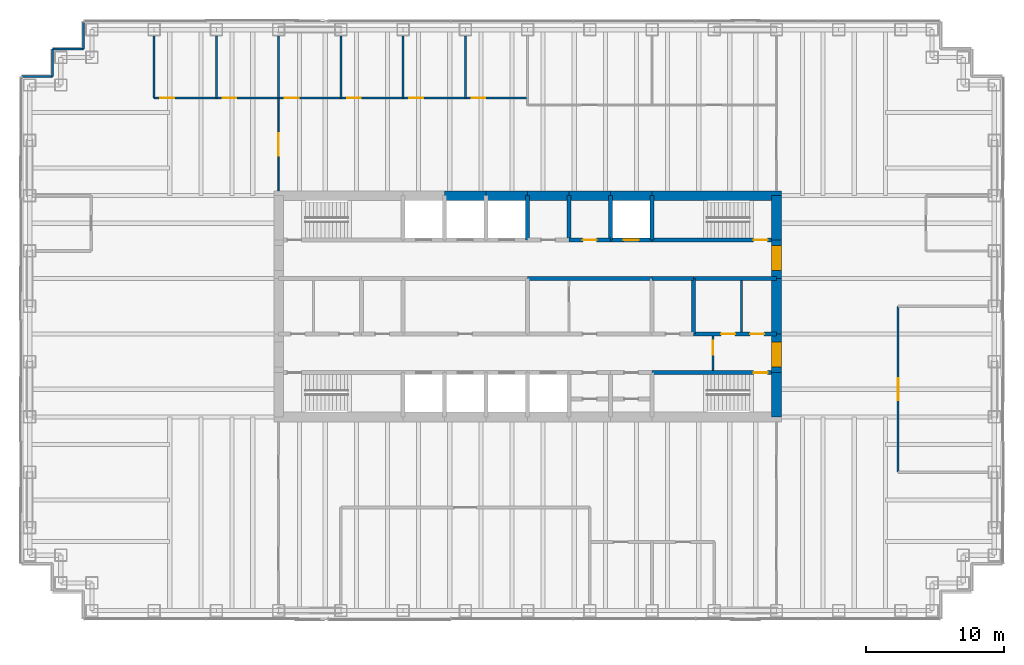
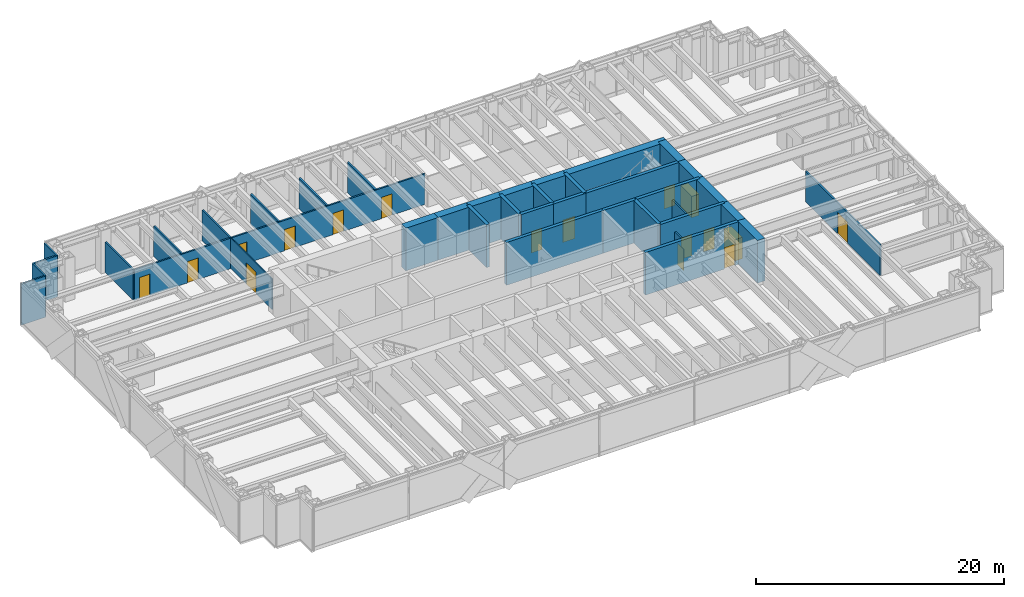
# One storey, part 15 of 17: 39 walls, 17 doors, 17 openings.
"""IFC4 building model written with IfcOpenShell, lengths in metres."""

from ifc_helpers import new_model, si_unit, direction, frame, frame_2d, origin, place, context, subcontext, project, spatial, rectangle, extrude, material, layer, layer_set, type_object, element, fill, save


model = new_model("IFC4")

# Units and contexts
model_context = context("Model", 3, precision=1e-05, world=origin(), true_north=direction((0.0, 1.0)))
body_context = subcontext(model_context, "Body", "Model", "MODEL_VIEW")
ifc_project = project(units=[si_unit("LENGTHUNIT", "METRE"), si_unit("AREAUNIT", "SQUARE_METRE"), si_unit("VOLUMEUNIT", "CUBIC_METRE"), si_unit("PLANEANGLEUNIT", "RADIAN"), si_unit("MASSUNIT", "GRAM", prefix="KILO")], contexts=[model_context])

# Site, building, storey
site_placement = place(None, origin())
site = spatial("IfcSite", under=ifc_project, at=site_placement, CompositionType="ELEMENT")
building_placement = place(site_placement, origin())
building = spatial("IfcBuilding", under=site, at=building_placement, Name="Rheinbord Bourse Tower", CompositionType="ELEMENT")
storey_placement = place(building_placement, frame((0.0, 0.0, 317.300048828125)))
storey = spatial("IfcBuildingStorey", under=building, at=storey_placement, Name="L72", CompositionType="ELEMENT", Elevation=317.300048828125)

# Wall, opening, door
ifc_material_1 = material(Name="Concrete C50/60", Category="concrete")
ifc_layer_1 = layer(ifc_material_1, 0.300048828125)
ifc_layer_set_1 = layer_set([ifc_layer_1], Name="CORE INNER WALL 300")
wall_type_1 = type_object("IfcWallType", Name="CORE INNER WALL 300", PredefinedType="SOLIDWALL", material=ifc_layer_set_1)
wall_1_placement = place(storey_placement, frame((45.0, 19.199951171875, 0.0), z_axis=(0.0, 0.0, 1.0), x_axis=(1.0, 0.0, 0.0)))
wall_1 = element("IfcWall", 1, at=wall_1_placement, inside=storey, type_object=wall_type_1, Name="Core wall A8 L72", PredefinedType="SOLIDWALL", context=body_context, shape_type="SweptSolid", body=[
    extrude(rectangle(XDim=9.0, YDim=0.300048828125, at=frame_2d((4.5, 0.0))), origin(), (0.0, 0.0, 1.0), 4.199951171875),
])
opening_1_placement = place(wall_1_placement, frame((7.35009765625, 0.0, 0.0)))
opening_1 = element("IfcOpeningElement", 2, at=opening_1_placement, cuts=wall_1, Name="Opening 7230", PredefinedType="OPENING", context=body_context, shape_type="SweptSolid", body=[
    extrude(rectangle(XDim=1.0, YDim=2.10009765625, at=frame_2d((0.5, 1.050048828125))), frame((0.0, 0.159912109375, 0.0), z_axis=(0.0, -1.0, 0.0), x_axis=(1.0, 0.0, 0.0)), (0.0, 0.0, 1.0), 0.320068359375),
])
ifc_material_2 = material(Name="Steel door", Category="steel")
door_type_1 = type_object("IfcDoorType", Name="DOOR 1000 EI30", OperationType="SINGLE_SWING_LEFT", PredefinedType="DOOR", material=ifc_material_2)
door_1_placement = place(opening_1_placement, origin())
door_1 = element("IfcDoor", 3, at=door_1_placement, inside=storey, type_object=door_type_1, Name="Stair door ST3 L72", OperationType="SINGLE_SWING_RIGHT", OverallHeight=2.10009765625, OverallWidth=1.0, PredefinedType="DOOR", context=body_context, shape_type="SweptSolid", body=[
    extrude(rectangle(XDim=1.0, YDim=2.10009765625, at=frame_2d((0.5, 1.050048828125))), frame((0.0, 0.02490234375, 0.0), z_axis=(0.0, -1.0, 0.0), x_axis=(1.0, 0.0, 0.0)), (0.0, 0.0, 1.0), 0.050048828125),
])
fill(opening_1, door_1)

wall_2_placement = place(storey_placement, frame((39.0, 28.800048828125, 0.0), z_axis=(0.0, 0.0, 1.0), x_axis=(1.0, 0.0, 0.0)))
wall_2 = element("IfcWall", 4, at=wall_2_placement, inside=storey, type_object=wall_type_1, Name="Core wall B6 L72", PredefinedType="SOLIDWALL", context=body_context, shape_type="SweptSolid", body=[
    extrude(rectangle(XDim=3.0, YDim=0.300048828125, at=frame_2d((1.5, 0.0))), origin(), (0.0, 0.0, 1.0), 4.199951171875),
])
opening_2_placement = place(wall_2_placement, frame((1.0, 0.0, 0.0)))
opening_2 = element("IfcOpeningElement", 5, at=opening_2_placement, cuts=wall_2, Name="Opening 72R11", PredefinedType="OPENING", context=body_context, shape_type="SweptSolid", body=[
    extrude(rectangle(XDim=1.0, YDim=2.10009765625, at=frame_2d((0.5, 1.050048828125))), frame((0.0, 0.159912109375, 0.0), z_axis=(0.0, -1.0, 0.0), x_axis=(1.0, 0.0, 0.0)), (0.0, 0.0, 1.0), 0.320068359375),
])
door_2_placement = place(opening_2_placement, origin())
door_2 = element("IfcDoor", 6, at=door_2_placement, inside=storey, type_object=door_type_1, Name="Stationery store door L72", OperationType="SINGLE_SWING_LEFT", OverallHeight=2.10009765625, OverallWidth=1.0, PredefinedType="DOOR", context=body_context, shape_type="SweptSolid", body=[
    extrude(rectangle(XDim=1.0, YDim=2.10009765625, at=frame_2d((0.5, 1.050048828125))), frame((0.0, 0.02490234375, 0.0), z_axis=(0.0, -1.0, 0.0), x_axis=(1.0, 0.0, 0.0)), (0.0, 0.0, 1.0), 0.050048828125),
])
fill(opening_2, door_2)

wall_3_placement = place(storey_placement, frame((42.0, 28.800048828125, 0.0), z_axis=(0.0, 0.0, 1.0), x_axis=(1.0, 0.0, 0.0)))
wall_3 = element("IfcWall", 7, at=wall_3_placement, inside=storey, type_object=wall_type_1, Name="Core wall B7 L72", PredefinedType="SOLIDWALL", context=body_context, shape_type="SweptSolid", body=[
    extrude(rectangle(XDim=3.0, YDim=0.300048828125, at=frame_2d((1.5, 0.0))), origin(), (0.0, 0.0, 1.0), 4.199951171875),
])
opening_3_placement = place(wall_3_placement, frame((0.949951171875, 0.0, 0.0)))
opening_3 = element("IfcOpeningElement", 8, at=opening_3_placement, cuts=wall_3, Name="Opening FL2", PredefinedType="OPENING", context=body_context, shape_type="SweptSolid", body=[
    extrude(rectangle(XDim=1.10009765625, YDim=2.199951171875, at=frame_2d((0.550048828125, 1.10009765625))), frame((0.0, 0.159912109375, 0.0), z_axis=(0.0, -1.0, 0.0), x_axis=(1.0, 0.0, 0.0)), (0.0, 0.0, 1.0), 0.320068359375),
])
ifc_material_3 = material(Name="Steel landing door", Category="steel")
door_type_2 = type_object("IfcDoorType", Name="LIFT LANDING DOOR 1100", OperationType="DOUBLE_DOOR_SLIDING", PredefinedType="USERDEFINED", material=ifc_material_3)
door_3_placement = place(opening_3_placement, origin())
door_3 = element("IfcDoor", 9, at=door_3_placement, inside=storey, type_object=door_type_2, Name="Lift landing door FL2 L72", ObjectType="LIFT LANDING DOOR", OperationType="DOUBLE_DOOR_SLIDING", OverallHeight=2.199951171875, OverallWidth=1.10009765625, PredefinedType="USERDEFINED", context=body_context, shape_type="SweptSolid", body=[
    extrude(rectangle(XDim=1.10009765625, YDim=2.199951171875, at=frame_2d((0.550048828125, 1.10009765625))), frame((0.0, 0.02490234375, 0.0), z_axis=(0.0, -1.0, 0.0), x_axis=(1.0, 0.0, 0.0)), (0.0, 0.0, 1.0), 0.050048828125),
])
fill(opening_3, door_3)

wall_4_placement = place(storey_placement, frame((45.0, 28.800048828125, 0.0), z_axis=(0.0, 0.0, 1.0), x_axis=(1.0, 0.0, 0.0)))
wall_4 = element("IfcWall", 10, at=wall_4_placement, inside=storey, type_object=wall_type_1, Name="Core wall B8 L72", PredefinedType="SOLIDWALL", context=body_context, shape_type="SweptSolid", body=[
    extrude(rectangle(XDim=9.0, YDim=0.300048828125, at=frame_2d((4.5, 0.0))), origin(), (0.0, 0.0, 1.0), 4.199951171875),
])
opening_4_placement = place(wall_4_placement, frame((7.35009765625, 0.0, 0.0)))
opening_4 = element("IfcOpeningElement", 11, at=opening_4_placement, cuts=wall_4, Name="Opening 7240", PredefinedType="OPENING", context=body_context, shape_type="SweptSolid", body=[
    extrude(rectangle(XDim=1.0, YDim=2.10009765625, at=frame_2d((0.5, 1.050048828125))), frame((0.0, 0.159912109375, 0.0), z_axis=(0.0, -1.0, 0.0), x_axis=(1.0, 0.0, 0.0)), (0.0, 0.0, 1.0), 0.320068359375),
])
door_4_placement = place(opening_4_placement, origin())
door_4 = element("IfcDoor", 12, at=door_4_placement, inside=storey, type_object=door_type_1, Name="Stair door ST4 L72", OperationType="SINGLE_SWING_RIGHT", OverallHeight=2.10009765625, OverallWidth=1.0, PredefinedType="DOOR", context=body_context, shape_type="SweptSolid", body=[
    extrude(rectangle(XDim=1.0, YDim=2.10009765625, at=frame_2d((0.5, 1.050048828125))), frame((0.0, 0.02490234375, 0.0), z_axis=(0.0, -1.0, 0.0), x_axis=(1.0, 0.0, 0.0)), (0.0, 0.0, 1.0), 0.050048828125),
])
fill(opening_4, door_4)

# Wall, openings, doors
wall_5_placement = place(storey_placement, frame((48.0, 22.0, 0.0), z_axis=(0.0, 0.0, 1.0), x_axis=(1.0, 0.0, 0.0)))
wall_5 = element("IfcWall", 13, at=wall_5_placement, inside=storey, type_object=wall_type_1, Name="Core wall C6 L72", PredefinedType="SOLIDWALL", context=body_context, shape_type="SweptSolid", body=[
    extrude(rectangle(XDim=6.0, YDim=0.300048828125, at=frame_2d((3.0, 0.0))), origin(), (0.0, 0.0, 1.0), 4.199951171875),
])
opening_5_placement = place(wall_5_placement, frame((2.0, 0.0, 0.0)))
opening_5 = element("IfcOpeningElement", 14, at=opening_5_placement, cuts=wall_5, Name="Opening 72R6", PredefinedType="OPENING", context=body_context, shape_type="SweptSolid", body=[
    extrude(rectangle(XDim=1.0, YDim=2.10009765625, at=frame_2d((0.5, 1.050048828125))), frame((0.0, 0.159912109375, 0.0), z_axis=(0.0, -1.0, 0.0), x_axis=(1.0, 0.0, 0.0)), (0.0, 0.0, 1.0), 0.320068359375),
])
opening_6_placement = place(wall_5_placement, frame((4.10009765625, 0.0, 0.0)))
opening_6 = element("IfcOpeningElement", 15, at=opening_6_placement, cuts=wall_5, Name="Opening 72R10", PredefinedType="OPENING", context=body_context, shape_type="SweptSolid", body=[
    extrude(rectangle(XDim=1.0, YDim=2.10009765625, at=frame_2d((0.5, 1.050048828125))), frame((0.0, 0.159912109375, 0.0), z_axis=(0.0, -1.0, 0.0), x_axis=(1.0, 0.0, 0.0)), (0.0, 0.0, 1.0), 0.320068359375),
])
door_5_placement = place(opening_6_placement, origin())
door_5 = element("IfcDoor", 16, at=door_5_placement, inside=storey, type_object=door_type_1, Name="Staff shower door L72", OperationType="SINGLE_SWING_RIGHT", OverallHeight=2.10009765625, OverallWidth=1.0, PredefinedType="DOOR", context=body_context, shape_type="SweptSolid", body=[
    extrude(rectangle(XDim=1.0, YDim=2.10009765625, at=frame_2d((0.5, 1.050048828125))), frame((0.0, 0.02490234375, 0.0), z_axis=(0.0, -1.0, 0.0), x_axis=(1.0, 0.0, 0.0)), (0.0, 0.0, 1.0), 0.050048828125),
])
fill(opening_6, door_5)
ifc_material_4 = material(Name="Timber door", Category="wood")
door_type_3 = type_object("IfcDoorType", Name="DOOR 1000 WC", OperationType="SINGLE_SWING_LEFT", PredefinedType="DOOR", material=ifc_material_4)
door_6_placement = place(opening_5_placement, origin())
door_6 = element("IfcDoor", 17, at=door_6_placement, inside=storey, type_object=door_type_3, Name="WC women door L72", OperationType="SINGLE_SWING_LEFT", OverallHeight=2.10009765625, OverallWidth=1.0, PredefinedType="DOOR", context=body_context, shape_type="SweptSolid", body=[
    extrude(rectangle(XDim=1.0, YDim=2.10009765625, at=frame_2d((0.5, 1.050048828125))), frame((0.0, 0.02490234375, 0.0), z_axis=(0.0, -1.0, 0.0), x_axis=(1.0, 0.0, 0.0)), (0.0, 0.0, 1.0), 0.050048828125),
])
fill(opening_5, door_6)

# Walls
wall_6_placement = place(storey_placement, frame((36.0, 26.0, 0.0), z_axis=(0.0, 0.0, 1.0), x_axis=(1.0, 0.0, 0.0)))
element("IfcWall", 18, at=wall_6_placement, inside=storey, type_object=wall_type_1, Name="Core wall D4 L72", PredefinedType="SOLIDWALL", context=body_context, shape_type="SweptSolid", body=[
    extrude(rectangle(XDim=9.0, YDim=0.300048828125, at=frame_2d((4.5, 0.0))), origin(), (0.0, 0.0, 1.0), 4.199951171875),
])
wall_7_placement = place(storey_placement, frame((45.0, 26.0, 0.0), z_axis=(0.0, 0.0, 1.0), x_axis=(1.0, 0.0, 0.0)))
element("IfcWall", 19, at=wall_7_placement, inside=storey, type_object=wall_type_1, Name="Core wall D5 L72", PredefinedType="SOLIDWALL", context=body_context, shape_type="SweptSolid", body=[
    extrude(rectangle(XDim=3.0, YDim=0.300048828125, at=frame_2d((1.5, 0.0))), origin(), (0.0, 0.0, 1.0), 4.199951171875),
])
wall_8_placement = place(storey_placement, frame((48.0, 26.0, 0.0), z_axis=(0.0, 0.0, 1.0), x_axis=(1.0, 0.0, 0.0)))
element("IfcWall", 20, at=wall_8_placement, inside=storey, type_object=wall_type_1, Name="Core wall D6 L72", PredefinedType="SOLIDWALL", context=body_context, shape_type="SweptSolid", body=[
    extrude(rectangle(XDim=6.0, YDim=0.300048828125, at=frame_2d((3.0, 0.0))), origin(), (0.0, 0.0, 1.0), 4.199951171875),
])
for number, where, z_axis, x_axis, name in (
    (21, (36.0, 28.800048828125, 0.0), (0.0, 0.0, 1.0), (0.0, 1.0, 0.0), "Core wall NX36 L72"),
    (22, (39.0, 28.800048828125, 0.0), (0.0, 0.0, 1.0), (0.0, 1.0, 0.0), "Core wall NX39 L72"),
    (23, (42.0, 28.800048828125, 0.0), (0.0, 0.0, 1.0), (0.0, 1.0, 0.0), "Core wall NX42 L72"),
    (24, (45.0, 28.800048828125, 0.0), (0.0, 0.0, 1.0), (0.0, 1.0, 0.0), "Core wall NX45 L72"),
):
    element("IfcWall", number, at=place(storey_placement, frame(where, z_axis=z_axis, x_axis=x_axis)), inside=storey, type_object=wall_type_1, Name=name, PredefinedType="SOLIDWALL", context=body_context, shape_type="SweptSolid", body=[
        extrude(rectangle(XDim=3.199951171875, YDim=0.300048828125, at=frame_2d((1.60009765625, 0.0))), origin(), (0.0, 0.0, 1.0), 4.199951171875),
    ])
wall_9_placement = place(storey_placement, frame((48.0, 22.0, 0.0), z_axis=(0.0, 0.0, 1.0), x_axis=(0.0, 1.0, 0.0)))
element("IfcWall", 25, at=wall_9_placement, inside=storey, type_object=wall_type_1, Name="Core wall MX48 L72", PredefinedType="SOLIDWALL", context=body_context, shape_type="SweptSolid", body=[
    extrude(rectangle(XDim=4.0, YDim=0.300048828125, at=frame_2d((2.0, 0.0))), origin(), (0.0, 0.0, 1.0), 4.199951171875),
])
ifc_material_5 = material(Name="Gypsum board fire partition", Category="gypsum board")
ifc_layer_2 = layer(ifc_material_5, 0.14990234375)
ifc_layer_set_2 = layer_set([ifc_layer_2], Name="CORE PARTITION 150 EI30")
wall_type_2 = type_object("IfcWallType", Name="CORE PARTITION 150 EI30", PredefinedType="PARTITIONING", material=ifc_layer_set_2)
wall_10_placement = place(storey_placement, frame((51.47509765625, 22.14990234375, 0.0), z_axis=(0.0, 0.0, 1.0), x_axis=(0.0, 1.0, 0.0)))
element("IfcWall", 26, at=wall_10_placement, inside=storey, type_object=wall_type_2, Name="Core partition L72-3", PredefinedType="PARTITIONING", context=body_context, shape_type="SweptSolid", body=[
    extrude(rectangle(XDim=3.7001953125, YDim=0.14990234375, at=frame_2d((1.85009765625, 0.0))), origin(), (0.0, 0.0, 1.0), 3.0),
])

# Wall, opening, door
wall_11_placement = place(storey_placement, frame((49.39990234375, 19.35009765625, 0.0), z_axis=(0.0, 0.0, 1.0), x_axis=(0.0, 1.0, 0.0)))
wall_11 = element("IfcWall", 27, at=wall_11_placement, inside=storey, type_object=wall_type_2, Name="Core partition L72-4", PredefinedType="PARTITIONING", context=body_context, shape_type="SweptSolid", body=[
    extrude(rectangle(XDim=2.5, YDim=0.14990234375, at=frame_2d((1.25, 0.0))), origin(), (0.0, 0.0, 1.0), 3.0),
])
opening_7_placement = place(wall_11_placement, frame((1.14990234375, 0.0, 0.0)))
opening_7 = element("IfcOpeningElement", 28, at=opening_7_placement, cuts=wall_11, Name="Opening 72L5", PredefinedType="OPENING", context=body_context, shape_type="SweptSolid", body=[
    extrude(rectangle(XDim=1.0, YDim=2.10009765625, at=frame_2d((0.5, 1.050048828125))), frame((0.0, 0.0849609375, 0.0), z_axis=(0.0, -1.0, 0.0), x_axis=(1.0, 0.0, 0.0)), (0.0, 0.0, 1.0), 0.169921875),
])
door_7_placement = place(opening_7_placement, origin())
door_7 = element("IfcDoor", 29, at=door_7_placement, inside=storey, type_object=door_type_1, Name="Stair lobby door L72", OperationType="SINGLE_SWING_RIGHT", OverallHeight=2.10009765625, OverallWidth=1.0, PredefinedType="DOOR", context=body_context, shape_type="SweptSolid", body=[
    extrude(rectangle(XDim=1.0, YDim=2.10009765625, at=frame_2d((0.5, 1.050048828125))), frame((0.0, 0.02490234375, 0.0), z_axis=(0.0, -1.0, 0.0), x_axis=(1.0, 0.0, 0.0)), (0.0, 0.0, 1.0), 0.050048828125),
])
fill(opening_7, door_7)

# Walls
ifc_material_6 = material(Name="Concrete C50/60", Category="concrete")
ifc_layer_3 = layer(ifc_material_6, 0.699951171875)
ifc_layer_set_3 = layer_set([ifc_layer_3], Name="CORE WALL 700")
wall_type_3 = type_object("IfcWallType", Name="CORE WALL 700", PredefinedType="SHEAR", material=ifc_layer_set_3)
wall_12_placement = place(storey_placement, frame((54.35009765625, 32.0, 0.0), z_axis=(0.0, 0.0, 1.0), x_axis=(-1.0, 0.0, 0.0)))
element("IfcWall", 30, at=wall_12_placement, inside=storey, type_object=wall_type_3, Name="Core wall N1 L72", PredefinedType="SHEAR", context=body_context, shape_type="SweptSolid", body=[
    extrude(rectangle(XDim=9.35009765625, YDim=0.699951171875, at=frame_2d((4.675048828125, 0.0))), origin(), (0.0, 0.0, 1.0), 4.199951171875),
])
for number, where, z_axis, x_axis, name in (
    (31, (45.0, 32.0, 0.0), (0.0, 0.0, 1.0), (-1.0, 0.0, 0.0), "Core wall N2 L72"),
    (32, (42.0, 32.0, 0.0), (0.0, 0.0, 1.0), (-1.0, 0.0, 0.0), "Core wall N3 L72"),
    (33, (39.0, 32.0, 0.0), (0.0, 0.0, 1.0), (-1.0, 0.0, 0.0), "Core wall N4 L72"),
    (34, (36.0, 32.0, 0.0), (0.0, 0.0, 1.0), (-1.0, 0.0, 0.0), "Core wall N5 L72"),
    (35, (33.0, 32.0, 0.0), (0.0, 0.0, 1.0), (-1.0, 0.0, 0.0), "Core wall N6 L72"),
):
    element("IfcWall", number, at=place(storey_placement, frame(where, z_axis=z_axis, x_axis=x_axis)), inside=storey, type_object=wall_type_3, Name=name, PredefinedType="SHEAR", context=body_context, shape_type="SweptSolid", body=[
        extrude(rectangle(XDim=3.0, YDim=0.699951171875, at=frame_2d((1.5, 0.0))), origin(), (0.0, 0.0, 1.0), 4.199951171875),
    ])
wall_13_placement = place(storey_placement, frame((54.0, 16.0, 0.0), z_axis=(0.0, 0.0, 1.0), x_axis=(0.0, 1.0, 0.0)))
element("IfcWall", 36, at=wall_13_placement, inside=storey, type_object=wall_type_3, Name="Core wall E1 L72", PredefinedType="SHEAR", context=body_context, shape_type="SweptSolid", body=[
    extrude(rectangle(XDim=3.199951171875, YDim=0.699951171875, at=frame_2d((1.60009765625, 0.0))), origin(), (0.0, 0.0, 1.0), 4.199951171875),
])

# Wall, opening, door
wall_14_placement = place(storey_placement, frame((54.0, 19.199951171875, 0.0), z_axis=(0.0, 0.0, 1.0), x_axis=(0.0, 1.0, 0.0)))
wall_14 = element("IfcWall", 37, at=wall_14_placement, inside=storey, type_object=wall_type_3, Name="Core wall E2 L72", PredefinedType="SHEAR", context=body_context, shape_type="SweptSolid", body=[
    extrude(rectangle(XDim=2.800048828125, YDim=0.699951171875, at=frame_2d((1.39990234375, 0.0))), origin(), (0.0, 0.0, 1.0), 4.199951171875),
])
opening_8_placement = place(wall_14_placement, frame((0.39990234375, 0.0, 0.0)))
opening_8 = element("IfcOpeningElement", 38, at=opening_8_placement, cuts=wall_14, Name="Opening 72L3", PredefinedType="OPENING", context=body_context, shape_type="SweptSolid", body=[
    extrude(rectangle(XDim=1.800048828125, YDim=2.10009765625, at=frame_2d((0.89990234375, 1.050048828125))), frame((0.0, 0.35986328125, 0.0), z_axis=(0.0, -1.0, 0.0), x_axis=(1.0, 0.0, 0.0)), (0.0, 0.0, 1.0), 0.719970703125),
])
ifc_material_7 = material(Name="Steel door", Category="steel")
door_type_4 = type_object("IfcDoorType", Name="DOOR 1800 EI30 DOUBLE", OperationType="DOUBLE_DOOR_DOUBLE_SWING", PredefinedType="DOOR", material=ifc_material_7)
door_8_placement = place(opening_8_placement, origin())
door_8 = element("IfcDoor", 39, at=door_8_placement, inside=storey, type_object=door_type_4, Name="Lobby door 3 L72", OperationType="SINGLE_SWING_LEFT", OverallHeight=2.10009765625, OverallWidth=1.800048828125, PredefinedType="DOOR", context=body_context, shape_type="SweptSolid", body=[
    extrude(rectangle(XDim=1.800048828125, YDim=2.10009765625, at=frame_2d((0.89990234375, 1.050048828125))), frame((0.0, 0.349609375, 0.0), z_axis=(0.0, -1.0, 0.0), x_axis=(1.0, 0.0, 0.0)), (0.0, 0.0, 1.0), 0.699462890625),
])
fill(opening_8, door_8)

# Wall
wall_15_placement = place(storey_placement, frame((54.0, 22.0, 0.0), z_axis=(0.0, 0.0, 1.0), x_axis=(0.0, 1.0, 0.0)))
element("IfcWall", 40, at=wall_15_placement, inside=storey, type_object=wall_type_3, Name="Core wall E3 L72", PredefinedType="SHEAR", context=body_context, shape_type="SweptSolid", body=[
    extrude(rectangle(XDim=4.0, YDim=0.699951171875, at=frame_2d((2.0, 0.0))), origin(), (0.0, 0.0, 1.0), 4.199951171875),
])

# Wall, opening, door
wall_16_placement = place(storey_placement, frame((54.0, 26.0, 0.0), z_axis=(0.0, 0.0, 1.0), x_axis=(0.0, 1.0, 0.0)))
wall_16 = element("IfcWall", 41, at=wall_16_placement, inside=storey, type_object=wall_type_3, Name="Core wall E4 L72", PredefinedType="SHEAR", context=body_context, shape_type="SweptSolid", body=[
    extrude(rectangle(XDim=2.800048828125, YDim=0.699951171875, at=frame_2d((1.39990234375, 0.0))), origin(), (0.0, 0.0, 1.0), 4.199951171875),
])
opening_9_placement = place(wall_16_placement, frame((0.60009765625, 0.0, 0.0)))
opening_9 = element("IfcOpeningElement", 42, at=opening_9_placement, cuts=wall_16, Name="Opening 72L4", PredefinedType="OPENING", context=body_context, shape_type="SweptSolid", body=[
    extrude(rectangle(XDim=1.800048828125, YDim=2.10009765625, at=frame_2d((0.89990234375, 1.050048828125))), frame((0.0, 0.35986328125, 0.0), z_axis=(0.0, -1.0, 0.0), x_axis=(1.0, 0.0, 0.0)), (0.0, 0.0, 1.0), 0.719970703125),
])
door_9_placement = place(opening_9_placement, origin())
door_9 = element("IfcDoor", 43, at=door_9_placement, inside=storey, type_object=door_type_4, Name="Lobby door 4 L72", OperationType="SINGLE_SWING_LEFT", OverallHeight=2.10009765625, OverallWidth=1.800048828125, PredefinedType="DOOR", context=body_context, shape_type="SweptSolid", body=[
    extrude(rectangle(XDim=1.800048828125, YDim=2.10009765625, at=frame_2d((0.89990234375, 1.050048828125))), frame((0.0, 0.349609375, 0.0), z_axis=(0.0, -1.0, 0.0), x_axis=(1.0, 0.0, 0.0)), (0.0, 0.0, 1.0), 0.699462890625),
])
fill(opening_9, door_9)

# Walls
wall_17_placement = place(storey_placement, frame((54.0, 28.800048828125, 0.0), z_axis=(0.0, 0.0, 1.0), x_axis=(0.0, 1.0, 0.0)))
element("IfcWall", 44, at=wall_17_placement, inside=storey, type_object=wall_type_3, Name="Core wall E5 L72", PredefinedType="SHEAR", context=body_context, shape_type="SweptSolid", body=[
    extrude(rectangle(XDim=3.199951171875, YDim=0.699951171875, at=frame_2d((1.60009765625, 0.0))), origin(), (0.0, 0.0, 1.0), 4.199951171875),
])
ifc_material_8 = material(Name="Black metal rainscreen panel", Category="aluminium")
ifc_layer_4 = layer(ifc_material_8, 0.14990234375)
ifc_layer_set_4 = layer_set([ifc_layer_4], Name="CORNER PIER CLADDING 150")
wall_type_4 = type_object("IfcWallType", Name="CORNER PIER CLADDING 150", PredefinedType="ELEMENTEDWALL", material=ifc_layer_set_4)
wall_18_placement = place(storey_placement, frame((3.89990234375, 44.60009765625, 0.0), z_axis=(0.0, 0.0, 1.0), x_axis=(0.0, -1.0, 0.0)))
element("IfcWall", 45, at=wall_18_placement, inside=storey, type_object=wall_type_4, Name="Corner pier cladding L72 12", PredefinedType="ELEMENTEDWALL", context=body_context, shape_type="SweptSolid", body=[
    extrude(rectangle(XDim=2.0, YDim=0.14990234375, at=frame_2d((1.0, 0.0))), origin(), (0.0, 0.0, 1.0), 4.0400390625),
])
wall_19_placement = place(storey_placement, frame((3.89990234375, 42.60009765625, 0.0), z_axis=(0.0, 0.0, 1.0), x_axis=(-1.0, 0.0, 0.0)))
element("IfcWall", 46, at=wall_19_placement, inside=storey, type_object=wall_type_4, Name="Corner pier cladding L72 13", PredefinedType="ELEMENTEDWALL", context=body_context, shape_type="SweptSolid", body=[
    extrude(rectangle(XDim=2.25, YDim=0.14990234375, at=frame_2d((1.125, 0.0))), origin(), (0.0, 0.0, 1.0), 4.0400390625),
])
wall_20_placement = place(storey_placement, frame((1.64990234375, 42.60009765625, 0.0), z_axis=(0.0, 0.0, 1.0), x_axis=(0.0, -1.0, 0.0)))
element("IfcWall", 47, at=wall_20_placement, inside=storey, type_object=wall_type_4, Name="Corner pier cladding L72 14", PredefinedType="ELEMENTEDWALL", context=body_context, shape_type="SweptSolid", body=[
    extrude(rectangle(XDim=2.0, YDim=0.14990234375, at=frame_2d((1.0, 0.0))), origin(), (0.0, 0.0, 1.0), 4.0400390625),
])
wall_21_placement = place(storey_placement, frame((1.64990234375, 40.60009765625, 0.0), z_axis=(0.0, 0.0, 1.0), x_axis=(-1.0, 0.0, 0.0)))
element("IfcWall", 48, at=wall_21_placement, inside=storey, type_object=wall_type_4, Name="Corner pier cladding L72 15", PredefinedType="ELEMENTEDWALL", context=body_context, shape_type="SweptSolid", body=[
    extrude(rectangle(XDim=2.25, YDim=0.14990234375, at=frame_2d((1.125, 0.0))), origin(), (0.0, 0.0, 1.0), 4.0400390625),
])

# Wall, opening, door
ifc_material_9 = material(Name="Toughened laminated glass partition", Category="glass")
ifc_layer_5 = layer(ifc_material_9, 0.10009765625)
ifc_layer_set_5 = layer_set([ifc_layer_5], Name="GLAZED PARTITION 100")
wall_type_5 = type_object("IfcWallType", Name="GLAZED PARTITION 100", PredefinedType="PARTITIONING", material=ifc_layer_set_5)
wall_22_placement = place(storey_placement, frame((18.0, 32.35009765625, 0.0), z_axis=(0.0, 0.0, 1.0), x_axis=(0.0, 1.0, 0.0)))
wall_22 = element("IfcWall", 49, at=wall_22_placement, inside=storey, type_object=wall_type_5, Name="Partition L72-15", PredefinedType="PARTITIONING", context=body_context, shape_type="SweptSolid", body=[
    extrude(rectangle(XDim=6.699951171875, YDim=0.10009765625, at=frame_2d((3.35009765625, 0.0))), origin(), (0.0, 0.0, 1.0), 3.0),
])
opening_10_placement = place(wall_22_placement, frame((2.550048828125, 0.0, 0.0)))
opening_10 = element("IfcOpeningElement", 50, at=opening_10_placement, cuts=wall_22, Name="Opening 72D17", PredefinedType="OPENING", context=body_context, shape_type="SweptSolid", body=[
    extrude(rectangle(XDim=1.60009765625, YDim=2.10009765625, at=frame_2d((0.800048828125, 1.050048828125))), frame((0.0, 0.06005859375, 0.0), z_axis=(0.0, -1.0, 0.0), x_axis=(1.0, 0.0, 0.0)), (0.0, 0.0, 1.0), 0.1201171875),
])
ifc_material_10 = material(Name="Timber door", Category="wood")
door_type_5 = type_object("IfcDoorType", Name="DOUBLE ROOM DOOR 1600", OperationType="DOUBLE_DOOR_DOUBLE_SWING", PredefinedType="DOOR", material=ifc_material_10)
door_10_placement = place(opening_10_placement, origin())
door_10 = element("IfcDoor", 51, at=door_10_placement, inside=storey, type_object=door_type_5, Name="Open area door L72", OperationType="SINGLE_SWING_LEFT", OverallHeight=2.10009765625, OverallWidth=1.60009765625, PredefinedType="DOOR", context=body_context, shape_type="SweptSolid", body=[
    extrude(rectangle(XDim=1.60009765625, YDim=2.10009765625, at=frame_2d((0.800048828125, 1.050048828125))), frame((0.0, 0.02490234375, 0.0), z_axis=(0.0, -1.0, 0.0), x_axis=(1.0, 0.0, 0.0)), (0.0, 0.0, 1.0), 0.050048828125),
])
fill(opening_10, door_10)

# Wall, openings, doors
ifc_material_11 = material(Name="Gypsum board partition", Category="gypsum board")
ifc_layer_6 = layer(ifc_material_11, 0.14990234375)
ifc_layer_set_6 = layer_set([ifc_layer_6], Name="PARTITION 150")
wall_type_6 = type_object("IfcWallType", Name="PARTITION 150", PredefinedType="PARTITIONING", material=ifc_layer_set_6)
wall_23_placement = place(storey_placement, frame((9.0, 39.050048828125, 0.0), z_axis=(0.0, 0.0, 1.0), x_axis=(1.0, 0.0, 0.0)))
wall_23 = element("IfcWall", 52, at=wall_23_placement, inside=storey, type_object=wall_type_6, Name="Partition L72-10", PredefinedType="PARTITIONING", context=body_context, shape_type="SweptSolid", body=[
    extrude(rectangle(XDim=27.0, YDim=0.14990234375, at=frame_2d((13.5, 0.0))), origin(), (0.0, 0.0, 1.0), 3.0),
])
opening_11_placement = place(wall_23_placement, frame((0.449951171875, 0.0, 0.0)))
opening_11 = element("IfcOpeningElement", 53, at=opening_11_placement, cuts=wall_23, Name="Opening 72D09", PredefinedType="OPENING", context=body_context, shape_type="SweptSolid", body=[
    extrude(rectangle(XDim=1.0, YDim=2.10009765625, at=frame_2d((0.5, 1.050048828125))), frame((0.0, 0.0849609375, 0.0), z_axis=(0.0, -1.0, 0.0), x_axis=(1.0, 0.0, 0.0)), (0.0, 0.0, 1.0), 0.169921875),
])
opening_12_placement = place(wall_23_placement, frame((4.949951171875, 0.0, 0.0)))
opening_12 = element("IfcOpeningElement", 54, at=opening_12_placement, cuts=wall_23, Name="Opening 72D10", PredefinedType="OPENING", context=body_context, shape_type="SweptSolid", body=[
    extrude(rectangle(XDim=1.0, YDim=2.10009765625, at=frame_2d((0.5, 1.050048828125))), frame((0.0, 0.0849609375, 0.0), z_axis=(0.0, -1.0, 0.0), x_axis=(1.0, 0.0, 0.0)), (0.0, 0.0, 1.0), 0.169921875),
])
opening_13_placement = place(wall_23_placement, frame((9.449951171875, 0.0, 0.0)))
opening_13 = element("IfcOpeningElement", 55, at=opening_13_placement, cuts=wall_23, Name="Opening 72D11", PredefinedType="OPENING", context=body_context, shape_type="SweptSolid", body=[
    extrude(rectangle(XDim=1.0, YDim=2.10009765625, at=frame_2d((0.5, 1.050048828125))), frame((0.0, 0.0849609375, 0.0), z_axis=(0.0, -1.0, 0.0), x_axis=(1.0, 0.0, 0.0)), (0.0, 0.0, 1.0), 0.169921875),
])
opening_14_placement = place(wall_23_placement, frame((13.949951171875, 0.0, 0.0)))
opening_14 = element("IfcOpeningElement", 56, at=opening_14_placement, cuts=wall_23, Name="Opening 72D12", PredefinedType="OPENING", context=body_context, shape_type="SweptSolid", body=[
    extrude(rectangle(XDim=1.0, YDim=2.10009765625, at=frame_2d((0.5, 1.050048828125))), frame((0.0, 0.0849609375, 0.0), z_axis=(0.0, -1.0, 0.0), x_axis=(1.0, 0.0, 0.0)), (0.0, 0.0, 1.0), 0.169921875),
])
opening_15_placement = place(wall_23_placement, frame((18.449951171875, 0.0, 0.0)))
opening_15 = element("IfcOpeningElement", 57, at=opening_15_placement, cuts=wall_23, Name="Opening 72D13", PredefinedType="OPENING", context=body_context, shape_type="SweptSolid", body=[
    extrude(rectangle(XDim=1.0, YDim=2.10009765625, at=frame_2d((0.5, 1.050048828125))), frame((0.0, 0.0849609375, 0.0), z_axis=(0.0, -1.0, 0.0), x_axis=(1.0, 0.0, 0.0)), (0.0, 0.0, 1.0), 0.169921875),
])
opening_16_placement = place(wall_23_placement, frame((22.949951171875, 0.0, 0.0)))
opening_16 = element("IfcOpeningElement", 58, at=opening_16_placement, cuts=wall_23, Name="Opening 72D14", PredefinedType="OPENING", context=body_context, shape_type="SweptSolid", body=[
    extrude(rectangle(XDim=1.0, YDim=2.10009765625, at=frame_2d((0.5, 1.050048828125))), frame((0.0, 0.0849609375, 0.0), z_axis=(0.0, -1.0, 0.0), x_axis=(1.0, 0.0, 0.0)), (0.0, 0.0, 1.0), 0.169921875),
])
ifc_material_12 = material(Name="Timber door", Category="wood")
door_type_6 = type_object("IfcDoorType", Name="ROOM DOOR 1000", OperationType="SINGLE_SWING_LEFT", PredefinedType="DOOR", material=ifc_material_12)
door_11_placement = place(opening_11_placement, origin())
door_11 = element("IfcDoor", 59, at=door_11_placement, inside=storey, type_object=door_type_6, Name="Office door L72", OperationType="SINGLE_SWING_LEFT", OverallHeight=2.10009765625, OverallWidth=1.0, PredefinedType="DOOR", context=body_context, shape_type="SweptSolid", body=[
    extrude(rectangle(XDim=1.0, YDim=2.10009765625, at=frame_2d((0.5, 1.050048828125))), frame((0.0, 0.02490234375, 0.0), z_axis=(0.0, -1.0, 0.0), x_axis=(1.0, 0.0, 0.0)), (0.0, 0.0, 1.0), 0.050048828125),
])
fill(opening_11, door_11)
door_12_placement = place(opening_12_placement, origin())
door_12 = element("IfcDoor", 60, at=door_12_placement, inside=storey, type_object=door_type_6, Name="Office door L72", OperationType="SINGLE_SWING_LEFT", OverallHeight=2.10009765625, OverallWidth=1.0, PredefinedType="DOOR", context=body_context, shape_type="SweptSolid", body=[
    extrude(rectangle(XDim=1.0, YDim=2.10009765625, at=frame_2d((0.5, 1.050048828125))), frame((0.0, 0.02490234375, 0.0), z_axis=(0.0, -1.0, 0.0), x_axis=(1.0, 0.0, 0.0)), (0.0, 0.0, 1.0), 0.050048828125),
])
fill(opening_12, door_12)
door_13_placement = place(opening_13_placement, origin())
door_13 = element("IfcDoor", 61, at=door_13_placement, inside=storey, type_object=door_type_6, Name="Office door L72", OperationType="SINGLE_SWING_LEFT", OverallHeight=2.10009765625, OverallWidth=1.0, PredefinedType="DOOR", context=body_context, shape_type="SweptSolid", body=[
    extrude(rectangle(XDim=1.0, YDim=2.10009765625, at=frame_2d((0.5, 1.050048828125))), frame((0.0, 0.02490234375, 0.0), z_axis=(0.0, -1.0, 0.0), x_axis=(1.0, 0.0, 0.0)), (0.0, 0.0, 1.0), 0.050048828125),
])
fill(opening_13, door_13)
door_14_placement = place(opening_14_placement, origin())
door_14 = element("IfcDoor", 62, at=door_14_placement, inside=storey, type_object=door_type_6, Name="Office door L72", OperationType="SINGLE_SWING_RIGHT", OverallHeight=2.10009765625, OverallWidth=1.0, PredefinedType="DOOR", context=body_context, shape_type="SweptSolid", body=[
    extrude(rectangle(XDim=1.0, YDim=2.10009765625, at=frame_2d((0.5, 1.050048828125))), frame((0.0, 0.02490234375, 0.0), z_axis=(0.0, -1.0, 0.0), x_axis=(1.0, 0.0, 0.0)), (0.0, 0.0, 1.0), 0.050048828125),
])
fill(opening_14, door_14)
door_15_placement = place(opening_15_placement, origin())
door_15 = element("IfcDoor", 63, at=door_15_placement, inside=storey, type_object=door_type_6, Name="Office door L72", OperationType="SINGLE_SWING_RIGHT", OverallHeight=2.10009765625, OverallWidth=1.0, PredefinedType="DOOR", context=body_context, shape_type="SweptSolid", body=[
    extrude(rectangle(XDim=1.0, YDim=2.10009765625, at=frame_2d((0.5, 1.050048828125))), frame((0.0, 0.02490234375, 0.0), z_axis=(0.0, -1.0, 0.0), x_axis=(1.0, 0.0, 0.0)), (0.0, 0.0, 1.0), 0.050048828125),
])
fill(opening_15, door_15)
door_16_placement = place(opening_16_placement, origin())
door_16 = element("IfcDoor", 64, at=door_16_placement, inside=storey, type_object=door_type_6, Name="Office door L72", OperationType="SINGLE_SWING_RIGHT", OverallHeight=2.10009765625, OverallWidth=1.0, PredefinedType="DOOR", context=body_context, shape_type="SweptSolid", body=[
    extrude(rectangle(XDim=1.0, YDim=2.10009765625, at=frame_2d((0.5, 1.050048828125))), frame((0.0, 0.02490234375, 0.0), z_axis=(0.0, -1.0, 0.0), x_axis=(1.0, 0.0, 0.0)), (0.0, 0.0, 1.0), 0.050048828125),
])
fill(opening_16, door_16)

# Walls
for number, where, z_axis, x_axis, name in (
    (65, (9.0, 39.050048828125, 0.0), (0.0, 0.0, 1.0), (0.0, 1.0, 0.0), "Partition L72-12"),
    (66, (13.5, 39.050048828125, 0.0), (0.0, 0.0, 1.0), (0.0, 1.0, 0.0), "Partition L72-13"),
    (67, (18.0, 39.050048828125, 0.0), (0.0, 0.0, 1.0), (0.0, 1.0, 0.0), "Partition L72-16"),
    (68, (22.5, 39.050048828125, 0.0), (0.0, 0.0, 1.0), (0.0, 1.0, 0.0), "Partition L72-18"),
    (69, (27.0, 39.050048828125, 0.0), (0.0, 0.0, 1.0), (0.0, 1.0, 0.0), "Partition L72-19"),
    (70, (31.5, 39.050048828125, 0.0), (0.0, 0.0, 1.0), (0.0, 1.0, 0.0), "Partition L72-20"),
):
    element("IfcWall", number, at=place(storey_placement, frame(where, z_axis=z_axis, x_axis=x_axis)), inside=storey, type_object=wall_type_6, Name=name, PredefinedType="PARTITIONING", context=body_context, shape_type="SweptSolid", body=[
        extrude(rectangle(XDim=4.5, YDim=0.14990234375, at=frame_2d((2.25, 0.0))), origin(), (0.0, 0.0, 1.0), 3.0),
    ])

# Wall, opening, door
wall_24_placement = place(storey_placement, frame((62.800048828125, 12.0, 0.0), z_axis=(0.0, 0.0, 1.0), x_axis=(0.0, 1.0, 0.0)))
wall_24 = element("IfcWall", 71, at=wall_24_placement, inside=storey, type_object=wall_type_6, Name="Partition L72-29", PredefinedType="PARTITIONING", context=body_context, shape_type="SweptSolid", body=[
    extrude(rectangle(XDim=12.0, YDim=0.14990234375, at=frame_2d((6.0, 0.0))), origin(), (0.0, 0.0, 1.0), 3.0),
])
opening_17_placement = place(wall_24_placement, frame((5.199951171875, 0.0, 0.0)))
opening_17 = element("IfcOpeningElement", 72, at=opening_17_placement, cuts=wall_24, Name="Opening 72D04", PredefinedType="OPENING", context=body_context, shape_type="SweptSolid", body=[
    extrude(rectangle(XDim=1.60009765625, YDim=2.10009765625, at=frame_2d((0.800048828125, 1.050048828125))), frame((0.0, 0.0849609375, 0.0), z_axis=(0.0, -1.0, 0.0), x_axis=(1.0, 0.0, 0.0)), (0.0, 0.0, 1.0), 0.169921875),
])
door_17_placement = place(opening_17_placement, origin())
door_17 = element("IfcDoor", 73, at=door_17_placement, inside=storey, type_object=door_type_5, Name="Media centre door L72", OperationType="SINGLE_SWING_LEFT", OverallHeight=2.10009765625, OverallWidth=1.60009765625, PredefinedType="DOOR", context=body_context, shape_type="SweptSolid", body=[
    extrude(rectangle(XDim=1.60009765625, YDim=2.10009765625, at=frame_2d((0.800048828125, 1.050048828125))), frame((0.0, 0.02490234375, 0.0), z_axis=(0.0, -1.0, 0.0), x_axis=(1.0, 0.0, 0.0)), (0.0, 0.0, 1.0), 0.050048828125),
])
fill(opening_17, door_17)

save(model, "model.ifc")
